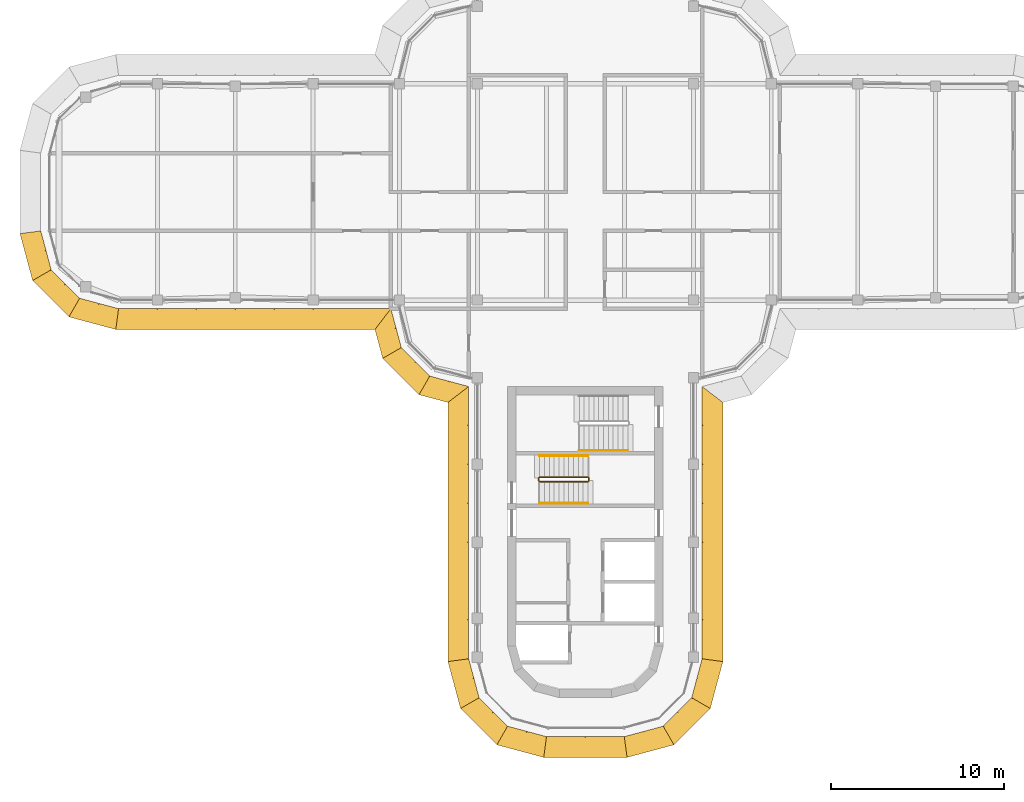
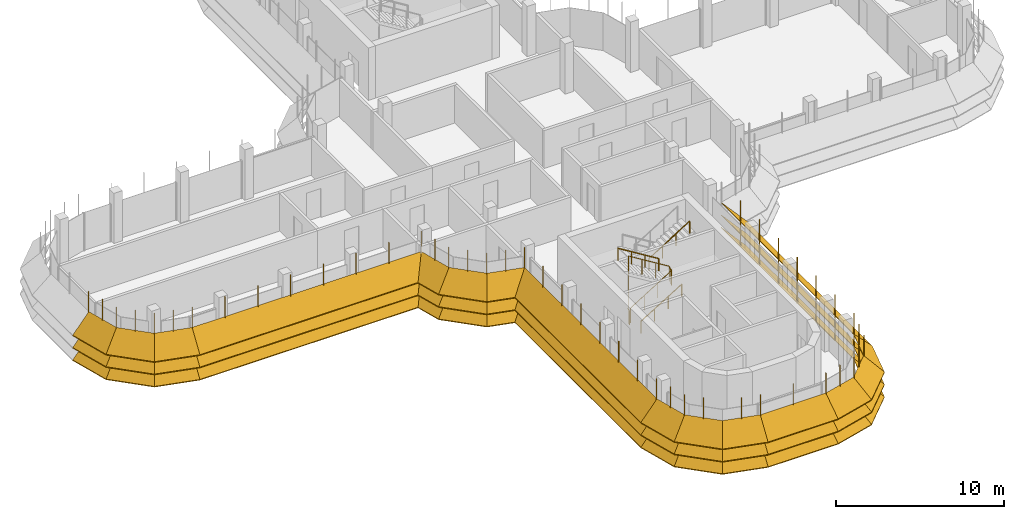
# One storey, part 16 of 19: 8 shading devices, 4 railings.
"""IFC4 building model written with IfcOpenShell, lengths in metres."""

import ifcopenshell
import ifcopenshell.guid

model = None  # the IFC model being written
_history = None  # IfcOwnerHistory: only IFC2X3 demands one
_inside = {}  # id of a spatial element -> (the spatial element, [elements in it])
_under = {}  # id of a project, library or spatial element -> (it, [spatial elements below it])
_declared = {}  # id of a project -> (the project, [libraries it declares])
_typed = {}  # id of a type object -> (the type object, [elements of that type])
_made_of = {}  # id of a material, layer set ... -> (it, [elements and type objects made of it])


def new_model(schema):
    """Start an empty IFC model of exactly this schema.

    Asked for "IFC4X3", IfcOpenShell would pick the latest addendum, in which some entities
    have other attributes; the version numbers below select the first issue.
    IFC2X3 requires an IfcOwnerHistory on every rooted entity: one is made here for all.
    """
    global model, _history
    if schema == "IFC4X3":
        model = ifcopenshell.file(schema_version=(4, 3, 0, 0))
    else:
        model = ifcopenshell.file(schema=schema)
    _inside.clear()
    _under.clear()
    _declared.clear()
    _typed.clear()
    _made_of.clear()
    _history = None
    if model.schema == "IFC2X3":
        org = make("IfcOrganization", Name="unknown")
        user = make(
            "IfcPersonAndOrganization",
            ThePerson=make("IfcPerson", FamilyName="unknown"),
            TheOrganization=org,
        )
        app = make(
            "IfcApplication",
            ApplicationDeveloper=org,
            Version="unknown",
            ApplicationFullName="unknown",
            ApplicationIdentifier="unknown",
        )
        _history = make(
            "IfcOwnerHistory",
            OwningUser=user,
            OwningApplication=app,
            ChangeAction="ADDED",
            CreationDate=0,
        )
    return model


def make(cls, **values):
    """One entity of the class cls with the attributes given. An attribute that is None is left unset."""
    return model.create_entity(
        cls, **{name: value for name, value in values.items() if value is not None}
    )


def rooted(cls, **values):
    """An entity with a GlobalId (a new one), such as an element, a storey or a relation."""
    return make(cls, GlobalId=ifcopenshell.guid.new(), OwnerHistory=_history, **values)


def si_unit(unit_type, name, prefix=None):
    """IfcSIUnit, for example si_unit("LENGTHUNIT", "METRE", prefix="MILLI")."""
    return make("IfcSIUnit", UnitType=unit_type, Prefix=prefix, Name=name)


def assignment(units):
    """IfcUnitAssignment: the units of a project."""
    return None if units is None else make("IfcUnitAssignment", Units=units)


def point(xyz):
    """IfcCartesianPoint."""
    return None if xyz is None else make("IfcCartesianPoint", Coordinates=xyz)


def direction(xyz):
    """IfcDirection."""
    return None if xyz is None else make("IfcDirection", DirectionRatios=xyz)


def frame(location, z_axis=None, x_axis=None):
    """IfcAxis2Placement3D, a coordinate frame: its origin and axes. An axis left out is left unset."""
    return make(
        "IfcAxis2Placement3D",
        Location=point(location),
        Axis=direction(z_axis),
        RefDirection=direction(x_axis),
    )


def frame_2d(location, x_axis=None):
    """IfcAxis2Placement2D, a coordinate frame in the plane: its origin and x axis."""
    return make(
        "IfcAxis2Placement2D", Location=point(location), RefDirection=direction(x_axis)
    )


def origin():
    """The frame at (0, 0, 0) with its axes left unset."""
    return frame((0.0, 0.0, 0.0))


def origin_2d():
    """The frame at (0, 0) in the plane with its x axis left unset."""
    return frame_2d((0.0, 0.0))


def place(relative_to, where):
    """IfcLocalPlacement: puts the frame where relative to a parent placement (None: the world)."""
    return make(
        "IfcLocalPlacement", PlacementRelTo=relative_to, RelativePlacement=where
    )


def context(
    kind, dimensions, precision=None, world=None, true_north=None, identifier=None
):
    """IfcGeometricRepresentationContext, for example the 3D "Model" context."""
    return make(
        "IfcGeometricRepresentationContext",
        ContextIdentifier=identifier,
        ContextType=kind,
        CoordinateSpaceDimension=dimensions,
        Precision=precision,
        WorldCoordinateSystem=world,
        TrueNorth=true_north,
    )


def subcontext(parent, identifier, kind, view, scale=None):
    """IfcGeometricRepresentationSubContext, for example "Body" below "Model"."""
    return make(
        "IfcGeometricRepresentationSubContext",
        ContextIdentifier=identifier,
        ContextType=kind,
        ParentContext=parent,
        TargetScale=scale,
        TargetView=view,
    )


def project(units=None, contexts=None):
    """IfcProject with its units and contexts."""
    return rooted(
        "IfcProject",
        Name="project",
        RepresentationContexts=contexts,
        UnitsInContext=assignment(units),
    )


def spatial(cls, under=None, at=None, **own):
    """A site, building, storey or space (cls), placed at a placement, below another one or the project."""
    s = rooted(cls, ObjectPlacement=at, **own)
    if under is not None:
        _under.setdefault(under.id(), (under, []))[1].append(s)
    return s


def polyline(points):
    """IfcPolyline through the points."""
    return make("IfcPolyline", Points=[point(p) for p in points])


def profile(cls, at=None, kind="AREA", **sizes):
    """A parametric profile (cls). Its sizes go by their IFC names, for example OverallWidth=200.0."""
    return make(cls, ProfileType=kind, Position=at, **sizes)


def circle(**sizes):
    """IfcCircleProfileDef."""
    return profile("IfcCircleProfileDef", **sizes)


def outline(outer, holes=None, kind="AREA"):
    """IfcArbitraryClosedProfileDef: a profile drawn as a closed curve; with holes, ...WithVoids."""
    if holes is None:
        return make("IfcArbitraryClosedProfileDef", ProfileType=kind, OuterCurve=outer)
    return make(
        "IfcArbitraryProfileDefWithVoids",
        ProfileType=kind,
        OuterCurve=outer,
        InnerCurves=holes,
    )


def extrude(swept, where, along, depth):
    """IfcExtrudedAreaSolid: the profile swept, set in the frame where, extruded along a direction by depth."""
    return make(
        "IfcExtrudedAreaSolid",
        SweptArea=swept,
        Position=where,
        ExtrudedDirection=direction(along),
        Depth=depth,
    )


def faces_of(points, faces, orient=None, outer=None):
    """IfcFace entities. A face is a list of loops; a loop is a list of indices into points, from 0.

    orient and outer hold one flag for each loop. By default every Orientation is true, the
    first loop of a face is its IfcFaceOuterBound and the others are IfcFaceBound.
    """
    made = []
    for i, loops in enumerate(faces):
        bounds = []
        for j, loop in enumerate(loops):
            is_outer = j == 0 if outer is None else outer[i][j]
            bounds.append(
                make(
                    "IfcFaceOuterBound" if is_outer else "IfcFaceBound",
                    Bound=make("IfcPolyLoop", Polygon=[points[k] for k in loop]),
                    Orientation=True if orient is None else orient[i][j],
                )
            )
        made.append(make("IfcFace", Bounds=bounds))
    return made


def faceted_brep(points, faces, orient=None, outer=None, voids=None):
    """IfcFacetedBrep: a solid bounded by flat faces; with voids (closed shells), ...WithVoids."""
    shared = [point(p) for p in points]
    hull = make("IfcClosedShell", CfsFaces=faces_of(shared, faces, orient, outer))
    if voids is None:
        return make("IfcFacetedBrep", Outer=hull)
    return make(
        "IfcFacetedBrepWithVoids",
        Outer=hull,
        Voids=[
            make(cls, CfsFaces=faces_of(shared, fs, o, b)) for cls, fs, o, b in voids
        ],
    )


def shape(context_of_items, identifier, shape_type, items):
    """IfcShapeRepresentation: the items that make up one representation, for example the "Body"."""
    return make(
        "IfcShapeRepresentation",
        ContextOfItems=context_of_items,
        RepresentationIdentifier=identifier,
        RepresentationType=shape_type,
        Items=items,
    )


def source(mapping_origin, context_of_items, identifier, shape_type, items):
    """IfcRepresentationMap: a shape defined once, which mapped items show again and again."""
    return make(
        "IfcRepresentationMap",
        MappingOrigin=mapping_origin,
        MappedRepresentation=shape(context_of_items, identifier, shape_type, items),
    )


def transform(
    local_origin,
    x_axis=None,
    y_axis=None,
    z_axis=None,
    scale=None,
    scale2=None,
    scale3=None,
    uniform=True,
):
    """IfcCartesianTransformationOperator3D, or its non-uniform kind. x_axis, y_axis, z_axis: its Axis1, 2, 3."""
    if uniform:
        return make(
            "IfcCartesianTransformationOperator3D",
            Axis1=direction(x_axis),
            Axis2=direction(y_axis),
            LocalOrigin=point(local_origin),
            Scale=scale,
            Axis3=direction(z_axis),
        )
    return make(
        "IfcCartesianTransformationOperator3DnonUniform",
        Axis1=direction(x_axis),
        Axis2=direction(y_axis),
        LocalOrigin=point(local_origin),
        Scale=scale,
        Axis3=direction(z_axis),
        Scale2=scale2,
        Scale3=scale3,
    )


def mapped(mapping_source, mapping_target):
    """IfcMappedItem: shows the shape of a source again, moved by a transform."""
    return make(
        "IfcMappedItem", MappingSource=mapping_source, MappingTarget=mapping_target
    )


def material(Name=None, Category=None):
    """IfcMaterial."""
    return make("IfcMaterial", Name=Name, Category=Category)


def made_of(thing, what):
    """Note that an element or type object is made of a material, layer set ...; save() writes the relation."""
    if what is not None:
        _made_of.setdefault(what.id(), (what, []))[1].append(thing)
    return thing


def type_object(cls, material=None, **own):
    """A type object (cls), such as IfcWallType, which elements share."""
    return made_of(rooted(cls, **own), material)


def element(
    cls,
    number,
    at=None,
    inside=None,
    cuts=None,
    type_object=None,
    material=None,
    context=None,
    identifier="Body",
    shape_type=None,
    held_by="IfcProductDefinitionShape",
    body=None,
    shapes=None,
    **own,
):
    """One element of the class cls, such as IfcWall. Its Tag is "e" and its number.

    at: its placement. inside: the storey or other place that contains it. cuts: it is an
    opening in that element (IfcRelVoidsElement). A single representation is given by context,
    identifier, shape_type and body (its items); several are given by shapes. held_by: the class
    of the entity that holds the representations. save() writes the other relations.
    """
    e = rooted(cls, Tag="e%d" % number, ObjectPlacement=at, **own)
    if body is not None:
        shapes = [shape(context, identifier, shape_type, body)]
    if shapes is not None:
        e.Representation = make(held_by, Representations=shapes)
    if inside is not None:
        _inside.setdefault(inside.id(), (inside, []))[1].append(e)
    if cuts is not None:
        rooted(
            "IfcRelVoidsElement", RelatingBuildingElement=cuts, RelatedOpeningElement=e
        )
    if type_object is not None:
        _typed.setdefault(type_object.id(), (type_object, []))[1].append(e)
    return made_of(e, material)


def aggregate(whole, parts):
    """IfcRelAggregates: a whole, such as a stair, and the parts it consists of."""
    return rooted("IfcRelAggregates", RelatingObject=whole, RelatedObjects=parts)


def save(model, path):
    """Write the relations noted so far, then the file.

    IfcRelAggregates (storeys below a building ...), IfcRelContainedInSpatialStructure (elements
    in a storey), IfcRelDefinesByType, IfcRelAssociatesMaterial and IfcRelDeclares: one each for
    every whole, place, type object, material and project.
    """
    for whole, parts in _under.values():
        aggregate(whole, parts)
    for where, things in _inside.values():
        rooted(
            "IfcRelContainedInSpatialStructure",
            RelatedElements=things,
            RelatingStructure=where,
        )
    for kind, things in _typed.values():
        rooted("IfcRelDefinesByType", RelatedObjects=things, RelatingType=kind)
    for what, things in _made_of.values():
        rooted("IfcRelAssociatesMaterial", RelatedObjects=things, RelatingMaterial=what)
    for by, libraries in _declared.values():
        rooted("IfcRelDeclares", RelatingContext=by, RelatedDefinitions=libraries)
    model.write(path)


model = new_model("IFC4")

# Units and contexts
model_context = context("Model", 3, precision=1e-05, world=origin(), true_north=direction((0.0, 1.0)))
body_context = subcontext(model_context, "Body", "Model", "MODEL_VIEW")
ifc_project = project(units=[si_unit("LENGTHUNIT", "METRE"), si_unit("AREAUNIT", "SQUARE_METRE"), si_unit("VOLUMEUNIT", "CUBIC_METRE"), si_unit("PLANEANGLEUNIT", "RADIAN"), si_unit("MASSUNIT", "GRAM", prefix="KILO")], contexts=[model_context])

# Site, building, storey
site_placement = place(None, origin())
site = spatial("IfcSite", under=ifc_project, at=site_placement, CompositionType="ELEMENT")
building_placement = place(site_placement, origin())
building = spatial("IfcBuilding", under=site, at=building_placement, Name="Zarbagh Exchange Tower", CompositionType="ELEMENT")
storey_placement = place(building_placement, frame((0.0, 0.0, 280.199951171875)))
storey = spatial("IfcBuildingStorey", under=building, at=storey_placement, Name="L69", CompositionType="ELEMENT", Elevation=280.199951171875)

# Railings
ifc_material_1 = material(Name="Stainless steel", Category="steel")
railing_type_1 = type_object("IfcRailingType", Name="Stair guard 1100 mm", PredefinedType="GUARDRAIL", material=ifc_material_1)
railing_1_placement = place(storey_placement, frame((-2.64990234375, -16.75, 0.1728515625)))
element("IfcRailing", 1, at=railing_1_placement, inside=storey, type_object=railing_type_1, Name="ST3 stair guard 1", PredefinedType="GUARDRAIL", context=body_context, shape_type="SweptSolid", body=[
    extrude(circle(Radius=0.02392578125, at=origin_2d()), frame((0.0, 0.0, 1.076171875), z_axis=(0.851069175582, 0.0, 0.525053576669), x_axis=(0.0, 1.0, 0.0)), (0.0, 0.0, 1.0), 3.289794921875),
    extrude(circle(Radius=0.02392578125, at=origin_2d()), frame((2.7998046875, 0.0, 2.80322265625), z_axis=(0.707106781187, 0.707106781187, 0.0), x_axis=(-0.707106781187, 0.707106781187, 0.0)), (0.0, 0.0, 1.0), 0.07080078125),
    extrude(circle(Radius=0.02392578125, at=origin_2d()), frame((2.849853515625, 0.050048828125, 2.80322265625), z_axis=(0.0, 1.0, 0.0), x_axis=(-1.0, 0.0, 0.0)), (0.0, 0.0, 1.0), 0.14990234375),
    extrude(circle(Radius=0.02392578125, at=origin_2d()), frame((2.849853515625, 0.199951171875, 2.80322265625), z_axis=(-0.268277960024, 0.268277960024, 0.925231793839), x_axis=(-0.707106781187, -0.707106781187, 0.0)), (0.0, 0.0, 1.0), 0.1865234375),
    extrude(circle(Radius=0.02392578125, at=origin_2d()), frame((2.7998046875, 0.25, 2.97607421875), z_axis=(-0.851069175582, 0.0, 0.525053576669), x_axis=(0.0, -1.0, 0.0)), (0.0, 0.0, 1.0), 3.289794921875),
    extrude(circle(Radius=0.02392578125, at=origin_2d()), frame((0.0, 0.25, 4.703125), z_axis=(-0.013168290981, -0.013168290981, -0.999826581076), x_axis=(0.707106781187, -0.707106781187, 0.0)), (0.0, 0.0, 1.0), 3.80078125),
    extrude(circle(Radius=0.02392578125, at=origin_2d()), frame((-0.050048828125, 0.199951171875, 0.9033203125), z_axis=(0.0, -1.0, 0.0), x_axis=(1.0, 0.0, 0.0)), (0.0, 0.0, 1.0), 0.14990234375),
    extrude(circle(Radius=0.02099609375, at=origin_2d()), origin(), (0.0, 0.0, 1.0), 1.052001953125),
    extrude(circle(Radius=0.02099609375, at=origin_2d()), frame((0.933349609375, 0.0, 0.57568359375)), (0.0, 0.0, 1.0), 1.052001953125),
    extrude(circle(Radius=0.02099609375, at=origin_2d()), frame((1.866455078125, 0.0, 1.151611328125)), (0.0, 0.0, 1.0), 1.052001953125),
    extrude(circle(Radius=0.02099609375, at=origin_2d()), frame((2.7998046875, 0.0, 1.727294921875)), (0.0, 0.0, 1.0), 1.052001953125),
    extrude(circle(Radius=0.02099609375, at=origin_2d()), frame((2.849853515625, 0.050048828125, 1.727294921875)), (0.0, 0.0, 1.0), 1.052001953125),
    extrude(circle(Radius=0.02099609375, at=origin_2d()), frame((2.849853515625, 0.199951171875, 1.727294921875)), (0.0, 0.0, 1.0), 1.052001953125),
    extrude(circle(Radius=0.02099609375, at=origin_2d()), frame((2.7998046875, 0.25, 1.89990234375)), (0.0, 0.0, 1.0), 1.052001953125),
    extrude(circle(Radius=0.02099609375, at=origin_2d()), frame((1.866455078125, 0.25, 2.4755859375)), (0.0, 0.0, 1.0), 1.052001953125),
    extrude(circle(Radius=0.02099609375, at=origin_2d()), frame((0.933349609375, 0.25, 3.051513671875)), (0.0, 0.0, 1.0), 1.052001953125),
    extrude(circle(Radius=0.02099609375, at=origin_2d()), frame((0.0, 0.25, 3.627197265625)), (0.0, 0.0, 1.0), 1.052001953125),
    extrude(circle(Radius=0.02099609375, at=origin_2d()), frame((-0.012451171875, 0.237548828125, 2.67724609375)), (0.0, 0.0, 1.0), 1.052001953125),
    extrude(circle(Radius=0.02099609375, at=origin_2d()), frame((-0.02490234375, 0.22509765625, 1.72705078125)), (0.0, 0.0, 1.0), 1.052001953125),
    extrude(circle(Radius=0.02099609375, at=origin_2d()), frame((-0.03759765625, 0.21240234375, 0.777099609375)), (0.0, 0.0, 1.0), 1.052001953125),
    extrude(circle(Radius=0.02099609375, at=origin_2d()), frame((-0.050048828125, 0.199951171875, -0.1728515625)), (0.0, 0.0, 1.0), 1.052001953125),
    extrude(circle(Radius=0.02099609375, at=origin_2d()), frame((-0.050048828125, 0.050048828125, -0.1728515625)), (0.0, 0.0, 1.0), 1.052001953125),
])
railing_type_2 = type_object("IfcRailingType", Name="Stair handrail 900 mm", PredefinedType="HANDRAIL", material=ifc_material_1)
railing_2_placement = place(storey_placement, frame((-2.64990234375, -18.0, 0.1728515625)))
element("IfcRailing", 2, at=railing_2_placement, inside=storey, type_object=railing_type_2, Name="ST3 stair handrail 1", PredefinedType="HANDRAIL", context=body_context, shape_type="SweptSolid", body=[
    extrude(circle(Radius=0.02392578125, at=origin_2d()), frame((0.0, 0.0, 0.8759765625), z_axis=(0.851069175582, 0.0, 0.525053576669), x_axis=(0.0, 1.0, 0.0)), (0.0, 0.0, 1.0), 3.289794921875),
    extrude(circle(Radius=0.02099609375, at=origin_2d()), origin(), (0.0, 0.0, 1.0), 0.851806640625),
    extrude(circle(Radius=0.02099609375, at=origin_2d()), frame((0.933349609375, 0.0, 0.57568359375)), (0.0, 0.0, 1.0), 0.851806640625),
    extrude(circle(Radius=0.02099609375, at=origin_2d()), frame((1.866455078125, 0.0, 1.151611328125)), (0.0, 0.0, 1.0), 0.851806640625),
    extrude(circle(Radius=0.02099609375, at=origin_2d()), frame((2.7998046875, 0.0, 1.727294921875)), (0.0, 0.0, 1.0), 0.851806640625),
])
railing_3_placement = place(storey_placement, frame((0.14990234375, -15.25, 2.07275390625)))
element("IfcRailing", 3, at=railing_3_placement, inside=storey, type_object=railing_type_2, Name="ST3 stair handrail 2", PredefinedType="HANDRAIL", context=body_context, shape_type="SweptSolid", body=[
    extrude(circle(Radius=0.02392578125, at=origin_2d()), frame((0.0, 0.0, 0.8759765625), z_axis=(-0.851069175582, 0.0, 0.525053576669), x_axis=(0.0, -1.0, 0.0)), (0.0, 0.0, 1.0), 3.289794921875),
    extrude(circle(Radius=0.02099609375, at=origin_2d()), origin(), (0.0, 0.0, 1.0), 0.851806640625),
    extrude(circle(Radius=0.02099609375, at=origin_2d()), frame((-0.933349609375, 0.0, 0.57568359375)), (0.0, 0.0, 1.0), 0.851806640625),
    extrude(circle(Radius=0.02099609375, at=origin_2d()), frame((-1.866455078125, 0.0, 1.151611328125)), (0.0, 0.0, 1.0), 0.851806640625),
    extrude(circle(Radius=0.02099609375, at=origin_2d()), frame((-2.7998046875, 0.0, 1.727294921875)), (0.0, 0.0, 1.0), 0.851806640625),
])
railing_4_placement = place(storey_placement, frame((-0.35009765625, -14.949951171875, 2.07275390625)))
element("IfcRailing", 4, at=railing_4_placement, inside=storey, type_object=railing_type_2, Name="ST4 stair handrail 2", PredefinedType="HANDRAIL", context=body_context, shape_type="SweptSolid", body=[
    extrude(circle(Radius=0.02392578125, at=origin_2d()), frame((0.0, 0.0, 0.8759765625), z_axis=(0.851089632645, 0.0, 0.525020415988), x_axis=(0.0, 1.0, 0.0)), (0.0, 0.0, 1.0), 3.2900390625),
    extrude(circle(Radius=0.02099609375, at=origin_2d()), origin(), (0.0, 0.0, 1.0), 0.851806640625),
    extrude(circle(Radius=0.02099609375, at=origin_2d()), frame((0.933349609375, 0.0, 0.57568359375)), (0.0, 0.0, 1.0), 0.851806640625),
    extrude(circle(Radius=0.02099609375, at=origin_2d()), frame((1.86669921875, 0.0, 1.151611328125)), (0.0, 0.0, 1.0), 0.851806640625),
    extrude(circle(Radius=0.02099609375, at=origin_2d()), frame((2.800048828125, 0.0, 1.727294921875)), (0.0, 0.0, 1.0), 0.851806640625),
])

# Shading devices
ifc_material_2 = material(Name="Anodised aluminium blades and brackets", Category="aluminium")
shading_device_type = type_object("IfcShadingDeviceType", Name="SUNSHADE louvre band, 45 degree blades", PredefinedType="JALOUSIE", material=ifc_material_2)
shared_shape_1 = source(origin(), body_context, "Body", "Brep", [
    faceted_brep([(0.0, 0.0, 0.0), (0.0, 0.0, -0.056640625), (-0.157958984375, -1.199951171875, -1.256591796875), (-0.157958984375, -1.199951171875, -1.199951171875), (2.65087890625, -1.199951171875, -1.199951171875), (2.65087890625, -1.199951171875, -1.256591796875), (2.329345703125, 0.0, -0.056640625), (2.329345703125, 0.0, 0.0)], [[[0, 1, 2, 3]], [[4, 5, 6, 7]], [[0, 7, 6, 1]], [[1, 6, 5, 2]], [[2, 5, 4, 3]], [[3, 4, 7, 0]]]),
])
shared_shape_2 = source(origin(), body_context, "Body", "Brep", [
    faceted_brep([(0.0, 0.0, 0.0), (0.0, 0.0, -0.056640625), (-0.321533203125, -1.199951171875, -1.256591796875), (-0.321533203125, -1.199951171875, -1.199951171875), (2.65087890625, -1.199951171875, -1.199951171875), (2.65087890625, -1.199951171875, -1.256591796875), (2.329345703125, 0.0, -0.056640625), (2.329345703125, 0.0, 0.0)], [[[0, 1, 2, 3]], [[4, 5, 6, 7]], [[0, 7, 6, 1]], [[1, 6, 5, 2]], [[2, 5, 4, 3]], [[3, 4, 7, 0]]]),
])
shared_shape_3 = source(origin(), body_context, "Body", "Brep", [
    faceted_brep([(0.0, 0.0, 0.0), (0.0, 0.0, -0.056640625), (-0.321533203125, -1.199951171875, -1.256591796875), (-0.321533203125, -1.199951171875, -1.199951171875), (2.4873046875, -1.199951171875, -1.199951171875), (2.4873046875, -1.199951171875, -1.256591796875), (2.329345703125, 0.0, -0.056640625), (2.329345703125, 0.0, 0.0)], [[[0, 1, 2, 3]], [[4, 5, 6, 7]], [[0, 7, 6, 1]], [[1, 6, 5, 2]], [[2, 5, 4, 3]], [[3, 4, 7, 0]]]),
])
shared_shape_4 = source(origin(), body_context, "Body", "SweptSolid", [
    extrude(outline(polyline([(0.0, -0.012451171875), (0.06005859375, -0.012451171875), (0.06005859375, 0.012451171875), (0.0, 0.012451171875), (0.0, -0.012451171875)])), origin(), (0.0, 0.0, 1.0), 3.366455078125),
])
placement = place(storey_placement, origin())
element("IfcShadingDevice", 5, at=placement, inside=storey, type_object=shading_device_type, Name="SS35 sunshade band", PredefinedType="JALOUSIE", context=body_context, shape_type="MappedRepresentation", body=[
    mapped(shared_shape_1, transform((2.25, -31.5, 2.300048828125), x_axis=(0.965924289636, 0.258824779902, 0.0), y_axis=(-0.258824779902, 0.965924289636, 0.0), z_axis=(0.0, 0.0, 1.0))),
    mapped(shared_shape_1, transform((2.25, -31.5, 1.400146484375), x_axis=(0.965924289636, 0.258824779902, 0.0), y_axis=(-0.258824779902, 0.965924289636, 0.0), z_axis=(0.0, 0.0, 1.0))),
    mapped(shared_shape_1, transform((2.25, -31.5, 0.5), x_axis=(0.965924289636, 0.258824779902, 0.0), y_axis=(-0.258824779902, 0.965924289636, 0.0), z_axis=(0.0, 0.0, 1.0))),
    mapped(shared_shape_2, transform((4.5, -30.897216796875, 2.300048828125), x_axis=(0.707106781187, 0.707106781187, 0.0), y_axis=(-0.707106781187, 0.707106781187, 0.0), z_axis=(0.0, 0.0, 1.0))),
    mapped(shared_shape_2, transform((4.5, -30.897216796875, 1.400146484375), x_axis=(0.707106781187, 0.707106781187, 0.0), y_axis=(-0.707106781187, 0.707106781187, 0.0), z_axis=(0.0, 0.0, 1.0))),
    mapped(shared_shape_2, transform((4.5, -30.897216796875, 0.5), x_axis=(0.707106781187, 0.707106781187, 0.0), y_axis=(-0.707106781187, 0.707106781187, 0.0), z_axis=(0.0, 0.0, 1.0))),
    mapped(shared_shape_3, transform((6.147216796875, -29.25, 2.300048828125), x_axis=(0.258824779902, 0.965924289636, 0.0), y_axis=(-0.965924289636, 0.258824779902, 0.0), z_axis=(0.0, 0.0, 1.0))),
    mapped(shared_shape_3, transform((6.147216796875, -29.25, 1.400146484375), x_axis=(0.258824779902, 0.965924289636, 0.0), y_axis=(-0.965924289636, 0.258824779902, 0.0), z_axis=(0.0, 0.0, 1.0))),
    mapped(shared_shape_3, transform((6.147216796875, -29.25, 0.5), x_axis=(0.258824779902, 0.965924289636, 0.0), y_axis=(-0.965924289636, 0.258824779902, 0.0), z_axis=(0.0, 0.0, 1.0))),
    mapped(shared_shape_4, transform((2.25, -31.5, 0.41357421875), x_axis=(0.130529263012, -0.991444457092, 0.0), y_axis=(0.991444457092, 0.130529263012, 0.0), z_axis=(0.0, 0.0, 1.0))),
    mapped(shared_shape_4, transform((3.375, -31.198486328125, 0.41357421875), x_axis=(0.258825058029, -0.96592421511, 0.0), y_axis=(0.96592421511, 0.258825058029, 0.0), z_axis=(0.0, 0.0, 1.0))),
    mapped(shared_shape_4, transform((4.5, -30.897216796875, 0.41357421875), x_axis=(0.50000275701, -0.866023812018, 0.0), y_axis=(0.866023812018, 0.50000275701, 0.0), z_axis=(0.0, 0.0, 1.0))),
    mapped(shared_shape_4, transform((5.323486328125, -30.073486328125, 0.41357421875), x_axis=(0.707106781187, -0.707106781187, 0.0), y_axis=(0.707106781187, 0.707106781187, 0.0), z_axis=(0.0, 0.0, 1.0))),
    mapped(shared_shape_4, transform((6.147216796875, -29.25, 0.41357421875), x_axis=(0.866023812018, -0.50000275701, 0.0), y_axis=(0.50000275701, 0.866023812018, 0.0), z_axis=(0.0, 0.0, 1.0))),
    mapped(shared_shape_4, transform((6.448486328125, -28.125, 0.41357421875), x_axis=(0.96592421511, -0.258825058029, 0.0), y_axis=(0.258825058029, 0.96592421511, 0.0), z_axis=(0.0, 0.0, 1.0))),
])
element("IfcShadingDevice", 6, at=placement, inside=storey, type_object=shading_device_type, Name="SS43 sunshade band", PredefinedType="JALOUSIE", context=body_context, shape_type="MappedRepresentation", body=[
    mapped(shared_shape_1, transform((-31.5, -2.25, 2.300048828125), x_axis=(0.258824779902, -0.965924289636, 0.0), y_axis=(0.965924289636, 0.258824779902, 0.0), z_axis=(0.0, 0.0, 1.0))),
    mapped(shared_shape_1, transform((-31.5, -2.25, 1.400146484375), x_axis=(0.258824779902, -0.965924289636, 0.0), y_axis=(0.965924289636, 0.258824779902, 0.0), z_axis=(0.0, 0.0, 1.0))),
    mapped(shared_shape_1, transform((-31.5, -2.25, 0.5), x_axis=(0.258824779902, -0.965924289636, 0.0), y_axis=(0.965924289636, 0.258824779902, 0.0), z_axis=(0.0, 0.0, 1.0))),
    mapped(shared_shape_2, transform((-30.897216796875, -4.5, 2.300048828125), x_axis=(0.707106781187, -0.707106781187, 0.0), y_axis=(0.707106781187, 0.707106781187, 0.0), z_axis=(0.0, 0.0, 1.0))),
    mapped(shared_shape_2, transform((-30.897216796875, -4.5, 1.400146484375), x_axis=(0.707106781187, -0.707106781187, 0.0), y_axis=(0.707106781187, 0.707106781187, 0.0), z_axis=(0.0, 0.0, 1.0))),
    mapped(shared_shape_2, transform((-30.897216796875, -4.5, 0.5), x_axis=(0.707106781187, -0.707106781187, 0.0), y_axis=(0.707106781187, 0.707106781187, 0.0), z_axis=(0.0, 0.0, 1.0))),
    mapped(shared_shape_3, transform((-29.25, -6.147216796875, 2.300048828125), x_axis=(0.965924289636, -0.258824779902, 0.0), y_axis=(0.258824779902, 0.965924289636, 0.0), z_axis=(0.0, 0.0, 1.0))),
    mapped(shared_shape_3, transform((-29.25, -6.147216796875, 1.400146484375), x_axis=(0.965924289636, -0.258824779902, 0.0), y_axis=(0.258824779902, 0.965924289636, 0.0), z_axis=(0.0, 0.0, 1.0))),
    mapped(shared_shape_3, transform((-29.25, -6.147216796875, 0.5), x_axis=(0.965924289636, -0.258824779902, 0.0), y_axis=(0.258824779902, 0.965924289636, 0.0), z_axis=(0.0, 0.0, 1.0))),
    mapped(shared_shape_4, transform((-31.5, -2.25, 0.41357421875), x_axis=(-0.991444457092, -0.130529263012, 0.0), y_axis=(0.130529263012, -0.991444457092, 0.0), z_axis=(0.0, 0.0, 1.0))),
    mapped(shared_shape_4, transform((-31.198486328125, -3.375, 0.41357421875), x_axis=(-0.96592421511, -0.258825058029, 0.0), y_axis=(0.258825058029, -0.96592421511, 0.0), z_axis=(0.0, 0.0, 1.0))),
    mapped(shared_shape_4, transform((-30.897216796875, -4.5, 0.41357421875), x_axis=(-0.866023812018, -0.50000275701, 0.0), y_axis=(0.50000275701, -0.866023812018, 0.0), z_axis=(0.0, 0.0, 1.0))),
    mapped(shared_shape_4, transform((-30.073486328125, -5.323486328125, 0.41357421875), x_axis=(-0.707106781187, -0.707106781187, 0.0), y_axis=(0.707106781187, -0.707106781187, 0.0), z_axis=(0.0, 0.0, 1.0))),
    mapped(shared_shape_4, transform((-29.25, -6.147216796875, 0.41357421875), x_axis=(-0.50000275701, -0.866023812018, 0.0), y_axis=(0.866023812018, -0.50000275701, 0.0), z_axis=(0.0, 0.0, 1.0))),
    mapped(shared_shape_4, transform((-28.125, -6.448486328125, 0.41357421875), x_axis=(-0.258825058029, -0.96592421511, 0.0), y_axis=(0.96592421511, -0.258825058029, 0.0), z_axis=(0.0, 0.0, 1.0))),
])
element("IfcShadingDevice", 7, at=placement, inside=storey, type_object=shading_device_type, Name="SS38 sunshade band", PredefinedType="JALOUSIE", context=body_context, shape_type="MappedRepresentation", body=[
    mapped(shared_shape_1, transform((-6.75, -27.0, 2.300048828125), x_axis=(0.258824779902, -0.965924289636, 0.0), y_axis=(0.965924289636, 0.258824779902, 0.0), z_axis=(0.0, 0.0, 1.0))),
    mapped(shared_shape_1, transform((-6.75, -27.0, 1.400146484375), x_axis=(0.258824779902, -0.965924289636, 0.0), y_axis=(0.965924289636, 0.258824779902, 0.0), z_axis=(0.0, 0.0, 1.0))),
    mapped(shared_shape_1, transform((-6.75, -27.0, 0.5), x_axis=(0.258824779902, -0.965924289636, 0.0), y_axis=(0.965924289636, 0.258824779902, 0.0), z_axis=(0.0, 0.0, 1.0))),
    mapped(shared_shape_2, transform((-6.147216796875, -29.25, 2.300048828125), x_axis=(0.707106781187, -0.707106781187, 0.0), y_axis=(0.707106781187, 0.707106781187, 0.0), z_axis=(0.0, 0.0, 1.0))),
    mapped(shared_shape_2, transform((-6.147216796875, -29.25, 1.400146484375), x_axis=(0.707106781187, -0.707106781187, 0.0), y_axis=(0.707106781187, 0.707106781187, 0.0), z_axis=(0.0, 0.0, 1.0))),
    mapped(shared_shape_2, transform((-6.147216796875, -29.25, 0.5), x_axis=(0.707106781187, -0.707106781187, 0.0), y_axis=(0.707106781187, 0.707106781187, 0.0), z_axis=(0.0, 0.0, 1.0))),
    mapped(shared_shape_3, transform((-4.5, -30.897216796875, 2.300048828125), x_axis=(0.965924289636, -0.258824779902, 0.0), y_axis=(0.258824779902, 0.965924289636, 0.0), z_axis=(0.0, 0.0, 1.0))),
    mapped(shared_shape_3, transform((-4.5, -30.897216796875, 1.400146484375), x_axis=(0.965924289636, -0.258824779902, 0.0), y_axis=(0.258824779902, 0.965924289636, 0.0), z_axis=(0.0, 0.0, 1.0))),
    mapped(shared_shape_3, transform((-4.5, -30.897216796875, 0.5), x_axis=(0.965924289636, -0.258824779902, 0.0), y_axis=(0.258824779902, 0.965924289636, 0.0), z_axis=(0.0, 0.0, 1.0))),
    mapped(shared_shape_4, transform((-6.75, -27.0, 0.41357421875), x_axis=(-0.991444457092, -0.130529263012, 0.0), y_axis=(0.130529263012, -0.991444457092, 0.0), z_axis=(0.0, 0.0, 1.0))),
    mapped(shared_shape_4, transform((-6.448486328125, -28.125, 0.41357421875), x_axis=(-0.96592421511, -0.258825058029, 0.0), y_axis=(0.258825058029, -0.96592421511, 0.0), z_axis=(0.0, 0.0, 1.0))),
    mapped(shared_shape_4, transform((-6.147216796875, -29.25, 0.41357421875), x_axis=(-0.866023812018, -0.50000275701, 0.0), y_axis=(0.50000275701, -0.866023812018, 0.0), z_axis=(0.0, 0.0, 1.0))),
    mapped(shared_shape_4, transform((-5.323486328125, -30.073486328125, 0.41357421875), x_axis=(-0.707106781187, -0.707106781187, 0.0), y_axis=(0.707106781187, -0.707106781187, 0.0), z_axis=(0.0, 0.0, 1.0))),
    mapped(shared_shape_4, transform((-4.5, -30.897216796875, 0.41357421875), x_axis=(-0.50000275701, -0.866023812018, 0.0), y_axis=(0.866023812018, -0.50000275701, 0.0), z_axis=(0.0, 0.0, 1.0))),
    mapped(shared_shape_4, transform((-3.375, -31.198486328125, 0.41357421875), x_axis=(-0.258825058029, -0.96592421511, 0.0), y_axis=(0.96592421511, -0.258825058029, 0.0), z_axis=(0.0, 0.0, 1.0))),
])
shared_shape_5 = source(origin(), body_context, "Body", "Brep", [
    faceted_brep([(0.0, 0.0, 0.0), (0.0, 0.0, -0.056640625), (0.9208984375, -1.199951171875, -1.256591796875), (0.9208984375, -1.199951171875, -1.199951171875), (2.65087890625, -1.199951171875, -1.199951171875), (2.65087890625, -1.199951171875, -1.256591796875), (2.329345703125, 0.0, -0.056640625), (2.329345703125, 0.0, 0.0)], [[[0, 1, 2, 3]], [[4, 5, 6, 7]], [[0, 7, 6, 1]], [[1, 6, 5, 2]], [[2, 5, 4, 3]], [[3, 4, 7, 0]]]),
])
shared_shape_6 = source(origin(), body_context, "Body", "Brep", [
    faceted_brep([(0.0, 0.0, 0.0), (0.0, 0.0, -0.056640625), (-0.321533203125, -1.199951171875, -1.256591796875), (-0.321533203125, -1.199951171875, -1.199951171875), (1.40869140625, -1.199951171875, -1.199951171875), (1.40869140625, -1.199951171875, -1.256591796875), (2.329345703125, 0.0, -0.056640625), (2.329345703125, 0.0, 0.0)], [[[0, 1, 2, 3]], [[4, 5, 6, 7]], [[0, 7, 6, 1]], [[1, 6, 5, 2]], [[2, 5, 4, 3]], [[3, 4, 7, 0]]]),
])
element("IfcShadingDevice", 8, at=placement, inside=storey, type_object=shading_device_type, Name="SS21 sunshade band", PredefinedType="JALOUSIE", context=body_context, shape_type="MappedRepresentation", body=[
    mapped(shared_shape_5, transform((-11.25, -6.75, 2.300048828125), x_axis=(0.258824779902, -0.965924289636, 0.0), y_axis=(0.965924289636, 0.258824779902, 0.0), z_axis=(0.0, 0.0, 1.0))),
    mapped(shared_shape_5, transform((-11.25, -6.75, 1.400146484375), x_axis=(0.258824779902, -0.965924289636, 0.0), y_axis=(0.965924289636, 0.258824779902, 0.0), z_axis=(0.0, 0.0, 1.0))),
    mapped(shared_shape_5, transform((-11.25, -6.75, 0.5), x_axis=(0.258824779902, -0.965924289636, 0.0), y_axis=(0.965924289636, 0.258824779902, 0.0), z_axis=(0.0, 0.0, 1.0))),
    mapped(shared_shape_2, transform((-10.647216796875, -9.0, 2.300048828125), x_axis=(0.707106781187, -0.707106781187, 0.0), y_axis=(0.707106781187, 0.707106781187, 0.0), z_axis=(0.0, 0.0, 1.0))),
    mapped(shared_shape_2, transform((-10.647216796875, -9.0, 1.400146484375), x_axis=(0.707106781187, -0.707106781187, 0.0), y_axis=(0.707106781187, 0.707106781187, 0.0), z_axis=(0.0, 0.0, 1.0))),
    mapped(shared_shape_2, transform((-10.647216796875, -9.0, 0.5), x_axis=(0.707106781187, -0.707106781187, 0.0), y_axis=(0.707106781187, 0.707106781187, 0.0), z_axis=(0.0, 0.0, 1.0))),
    mapped(shared_shape_6, transform((-9.0, -10.647216796875, 2.300048828125), x_axis=(0.965924289636, -0.258824779902, 0.0), y_axis=(0.258824779902, 0.965924289636, 0.0), z_axis=(0.0, 0.0, 1.0))),
    mapped(shared_shape_6, transform((-9.0, -10.647216796875, 1.400146484375), x_axis=(0.965924289636, -0.258824779902, 0.0), y_axis=(0.258824779902, 0.965924289636, 0.0), z_axis=(0.0, 0.0, 1.0))),
    mapped(shared_shape_6, transform((-9.0, -10.647216796875, 0.5), x_axis=(0.965924289636, -0.258824779902, 0.0), y_axis=(0.258824779902, 0.965924289636, 0.0), z_axis=(0.0, 0.0, 1.0))),
    mapped(shared_shape_4, transform((-11.25, -6.75, 0.41357421875), x_axis=(-0.608758892, -0.793355287, 0.0), y_axis=(0.793355287, -0.608758892, 0.0), z_axis=(0.0, 0.0, 1.0))),
    mapped(shared_shape_4, transform((-10.948486328125, -7.875, 0.41357421875), x_axis=(-0.96592421511, -0.258825058029, 0.0), y_axis=(0.258825058029, -0.96592421511, 0.0), z_axis=(0.0, 0.0, 1.0))),
    mapped(shared_shape_4, transform((-10.647216796875, -9.0, 0.41357421875), x_axis=(-0.866023812018, -0.50000275701, 0.0), y_axis=(0.50000275701, -0.866023812018, 0.0), z_axis=(0.0, 0.0, 1.0))),
    mapped(shared_shape_4, transform((-9.823486328125, -9.823486328125, 0.41357421875), x_axis=(-0.707106781187, -0.707106781187, 0.0), y_axis=(0.707106781187, -0.707106781187, 0.0), z_axis=(0.0, 0.0, 1.0))),
    mapped(shared_shape_4, transform((-9.0, -10.647216796875, 0.41357421875), x_axis=(-0.50000275701, -0.866023812018, 0.0), y_axis=(0.866023812018, -0.50000275701, 0.0), z_axis=(0.0, 0.0, 1.0))),
    mapped(shared_shape_4, transform((-7.875, -10.948486328125, 0.41357421875), x_axis=(-0.258825058029, -0.96592421511, 0.0), y_axis=(0.96592421511, -0.258825058029, 0.0), z_axis=(0.0, 0.0, 1.0))),
])
shared_shape_7 = source(origin(), body_context, "Body", "Brep", [
    faceted_brep([(0.0, 0.0, 0.0), (0.0, 0.0, -0.056640625), (-0.157958984375, -1.199951171875, -1.256591796875), (-0.157958984375, -1.199951171875, -1.199951171875), (14.8291015625, -1.199951171875, -1.199951171875), (14.8291015625, -1.199951171875, -1.256591796875), (15.75, 0.0, -0.056640625), (15.75, 0.0, 0.0)], [[[0, 1, 2, 3]], [[4, 5, 6, 7]], [[0, 7, 6, 1]], [[1, 6, 5, 2]], [[2, 5, 4, 3]], [[3, 4, 7, 0]]]),
])
element("IfcShadingDevice", 9, at=placement, inside=storey, type_object=shading_device_type, Name="SS36 sunshade band", PredefinedType="JALOUSIE", context=body_context, shape_type="MappedRepresentation", body=[
    mapped(shared_shape_7, transform((6.75, -27.0, 2.300048828125), x_axis=(0.0, 1.0, 0.0), y_axis=(-1.0, 0.0, 0.0), z_axis=(0.0, 0.0, 1.0))),
    mapped(shared_shape_7, transform((6.75, -27.0, 1.400146484375), x_axis=(0.0, 1.0, 0.0), y_axis=(-1.0, 0.0, 0.0), z_axis=(0.0, 0.0, 1.0))),
    mapped(shared_shape_7, transform((6.75, -27.0, 0.5), x_axis=(0.0, 1.0, 0.0), y_axis=(-1.0, 0.0, 0.0), z_axis=(0.0, 0.0, 1.0))),
    mapped(shared_shape_4, transform((6.75, -27.0, 0.41357421875), x_axis=(0.991444457092, -0.130529263012, 0.0), y_axis=(0.130529263012, 0.991444457092, 0.0), z_axis=(0.0, 0.0, 1.0))),
    mapped(shared_shape_4, transform((6.75, -24.75, 0.41357421875), x_axis=(1.0, 0.0, 0.0), y_axis=(0.0, 1.0, 0.0), z_axis=(0.0, 0.0, 1.0))),
    mapped(shared_shape_4, transform((6.75, -22.5, 0.41357421875), x_axis=(1.0, 0.0, 0.0), y_axis=(0.0, 1.0, 0.0), z_axis=(0.0, 0.0, 1.0))),
    mapped(shared_shape_4, transform((6.75, -20.25, 0.41357421875), x_axis=(1.0, 0.0, 0.0), y_axis=(0.0, 1.0, 0.0), z_axis=(0.0, 0.0, 1.0))),
    mapped(shared_shape_4, transform((6.75, -18.0, 0.41357421875), x_axis=(1.0, 0.0, 0.0), y_axis=(0.0, 1.0, 0.0), z_axis=(0.0, 0.0, 1.0))),
    mapped(shared_shape_4, transform((6.75, -15.75, 0.41357421875), x_axis=(1.0, 0.0, 0.0), y_axis=(0.0, 1.0, 0.0), z_axis=(0.0, 0.0, 1.0))),
    mapped(shared_shape_4, transform((6.75, -13.5, 0.41357421875), x_axis=(1.0, 0.0, 0.0), y_axis=(0.0, 1.0, 0.0), z_axis=(0.0, 0.0, 1.0))),
])
element("IfcShadingDevice", 10, at=placement, inside=storey, type_object=shading_device_type, Name="SS44 sunshade band", PredefinedType="JALOUSIE", context=body_context, shape_type="MappedRepresentation", body=[
    mapped(shared_shape_7, transform((-27.0, -6.75, 2.300048828125), x_axis=(1.0, 0.0, 0.0), y_axis=(0.0, 1.0, 0.0), z_axis=(0.0, 0.0, 1.0))),
    mapped(shared_shape_7, transform((-27.0, -6.75, 1.400146484375), x_axis=(1.0, 0.0, 0.0), y_axis=(0.0, 1.0, 0.0), z_axis=(0.0, 0.0, 1.0))),
    mapped(shared_shape_7, transform((-27.0, -6.75, 0.5), x_axis=(1.0, 0.0, 0.0), y_axis=(0.0, 1.0, 0.0), z_axis=(0.0, 0.0, 1.0))),
    mapped(shared_shape_4, transform((-27.0, -6.75, 0.41357421875), x_axis=(-0.130529263012, -0.991444457092, 0.0), y_axis=(0.991444457092, -0.130529263012, 0.0), z_axis=(0.0, 0.0, 1.0))),
    mapped(shared_shape_4, transform((-24.75, -6.75, 0.41357421875), x_axis=(0.0, -1.0, 0.0), y_axis=(1.0, 0.0, 0.0), z_axis=(0.0, 0.0, 1.0))),
    mapped(shared_shape_4, transform((-22.5, -6.75, 0.41357421875), x_axis=(0.0, -1.0, 0.0), y_axis=(1.0, 0.0, 0.0), z_axis=(0.0, 0.0, 1.0))),
    mapped(shared_shape_4, transform((-20.25, -6.75, 0.41357421875), x_axis=(0.0, -1.0, 0.0), y_axis=(1.0, 0.0, 0.0), z_axis=(0.0, 0.0, 1.0))),
    mapped(shared_shape_4, transform((-18.0, -6.75, 0.41357421875), x_axis=(0.0, -1.0, 0.0), y_axis=(1.0, 0.0, 0.0), z_axis=(0.0, 0.0, 1.0))),
    mapped(shared_shape_4, transform((-15.75, -6.75, 0.41357421875), x_axis=(0.0, -1.0, 0.0), y_axis=(1.0, 0.0, 0.0), z_axis=(0.0, 0.0, 1.0))),
    mapped(shared_shape_4, transform((-13.5, -6.75, 0.41357421875), x_axis=(0.0, -1.0, 0.0), y_axis=(1.0, 0.0, 0.0), z_axis=(0.0, 0.0, 1.0))),
])
shared_shape_8 = source(origin(), body_context, "Body", "Brep", [
    faceted_brep([(0.0, 0.0, 0.0), (0.0, 0.0, -0.056640625), (0.9208984375, -1.199951171875, -1.256591796875), (0.9208984375, -1.199951171875, -1.199951171875), (15.907958984375, -1.199951171875, -1.199951171875), (15.907958984375, -1.199951171875, -1.256591796875), (15.75, 0.0, -0.056640625), (15.75, 0.0, 0.0)], [[[0, 1, 2, 3]], [[4, 5, 6, 7]], [[0, 7, 6, 1]], [[1, 6, 5, 2]], [[2, 5, 4, 3]], [[3, 4, 7, 0]]]),
])
element("IfcShadingDevice", 11, at=placement, inside=storey, type_object=shading_device_type, Name="SS37 sunshade band", PredefinedType="JALOUSIE", context=body_context, shape_type="MappedRepresentation", body=[
    mapped(shared_shape_8, transform((-6.75, -11.25, 2.300048828125), x_axis=(0.0, -1.0, 0.0), y_axis=(1.0, 0.0, 0.0), z_axis=(0.0, 0.0, 1.0))),
    mapped(shared_shape_8, transform((-6.75, -11.25, 1.400146484375), x_axis=(0.0, -1.0, 0.0), y_axis=(1.0, 0.0, 0.0), z_axis=(0.0, 0.0, 1.0))),
    mapped(shared_shape_8, transform((-6.75, -11.25, 0.5), x_axis=(0.0, -1.0, 0.0), y_axis=(1.0, 0.0, 0.0), z_axis=(0.0, 0.0, 1.0))),
    mapped(shared_shape_4, transform((-6.75, -11.25, 0.41357421875), x_axis=(-0.793355287, -0.608758892, 0.0), y_axis=(0.608758892, -0.793355287, 0.0), z_axis=(0.0, 0.0, 1.0))),
    mapped(shared_shape_4, transform((-6.75, -13.5, 0.41357421875), x_axis=(-1.0, 0.0, 0.0), y_axis=(0.0, -1.0, 0.0), z_axis=(0.0, 0.0, 1.0))),
    mapped(shared_shape_4, transform((-6.75, -15.75, 0.41357421875), x_axis=(-1.0, 0.0, 0.0), y_axis=(0.0, -1.0, 0.0), z_axis=(0.0, 0.0, 1.0))),
    mapped(shared_shape_4, transform((-6.75, -18.0, 0.41357421875), x_axis=(-1.0, 0.0, 0.0), y_axis=(0.0, -1.0, 0.0), z_axis=(0.0, 0.0, 1.0))),
    mapped(shared_shape_4, transform((-6.75, -20.25, 0.41357421875), x_axis=(-1.0, 0.0, 0.0), y_axis=(0.0, -1.0, 0.0), z_axis=(0.0, 0.0, 1.0))),
    mapped(shared_shape_4, transform((-6.75, -22.5, 0.41357421875), x_axis=(-1.0, 0.0, 0.0), y_axis=(0.0, -1.0, 0.0), z_axis=(0.0, 0.0, 1.0))),
    mapped(shared_shape_4, transform((-6.75, -24.75, 0.41357421875), x_axis=(-1.0, 0.0, 0.0), y_axis=(0.0, -1.0, 0.0), z_axis=(0.0, 0.0, 1.0))),
])
shared_shape_9 = source(origin(), body_context, "Body", "Brep", [
    faceted_brep([(0.0, 0.0, 0.0), (0.0, 0.0, -0.056640625), (-0.157958984375, -1.199951171875, -1.256591796875), (-0.157958984375, -1.199951171875, -1.199951171875), (4.657958984375, -1.199951171875, -1.199951171875), (4.657958984375, -1.199951171875, -1.256591796875), (4.5, 0.0, -0.056640625), (4.5, 0.0, 0.0)], [[[0, 1, 2, 3]], [[4, 5, 6, 7]], [[0, 7, 6, 1]], [[1, 6, 5, 2]], [[2, 5, 4, 3]], [[3, 4, 7, 0]]]),
])
element("IfcShadingDevice", 12, at=placement, inside=storey, type_object=shading_device_type, Name="SS39 sunshade band", PredefinedType="JALOUSIE", context=body_context, shape_type="MappedRepresentation", body=[
    mapped(shared_shape_9, transform((-2.25, -31.5, 2.300048828125), x_axis=(1.0, 0.0, 0.0), y_axis=(0.0, 1.0, 0.0), z_axis=(0.0, 0.0, 1.0))),
    mapped(shared_shape_9, transform((-2.25, -31.5, 1.400146484375), x_axis=(1.0, 0.0, 0.0), y_axis=(0.0, 1.0, 0.0), z_axis=(0.0, 0.0, 1.0))),
    mapped(shared_shape_9, transform((-2.25, -31.5, 0.5), x_axis=(1.0, 0.0, 0.0), y_axis=(0.0, 1.0, 0.0), z_axis=(0.0, 0.0, 1.0))),
    mapped(shared_shape_4, transform((-2.25, -31.5, 0.41357421875), x_axis=(-0.130529263012, -0.991444457092, 0.0), y_axis=(0.991444457092, -0.130529263012, 0.0), z_axis=(0.0, 0.0, 1.0))),
    mapped(shared_shape_4, transform((0.0, -31.5, 0.41357421875), x_axis=(0.0, -1.0, 0.0), y_axis=(1.0, 0.0, 0.0), z_axis=(0.0, 0.0, 1.0))),
])

save(model, "model.ifc")
